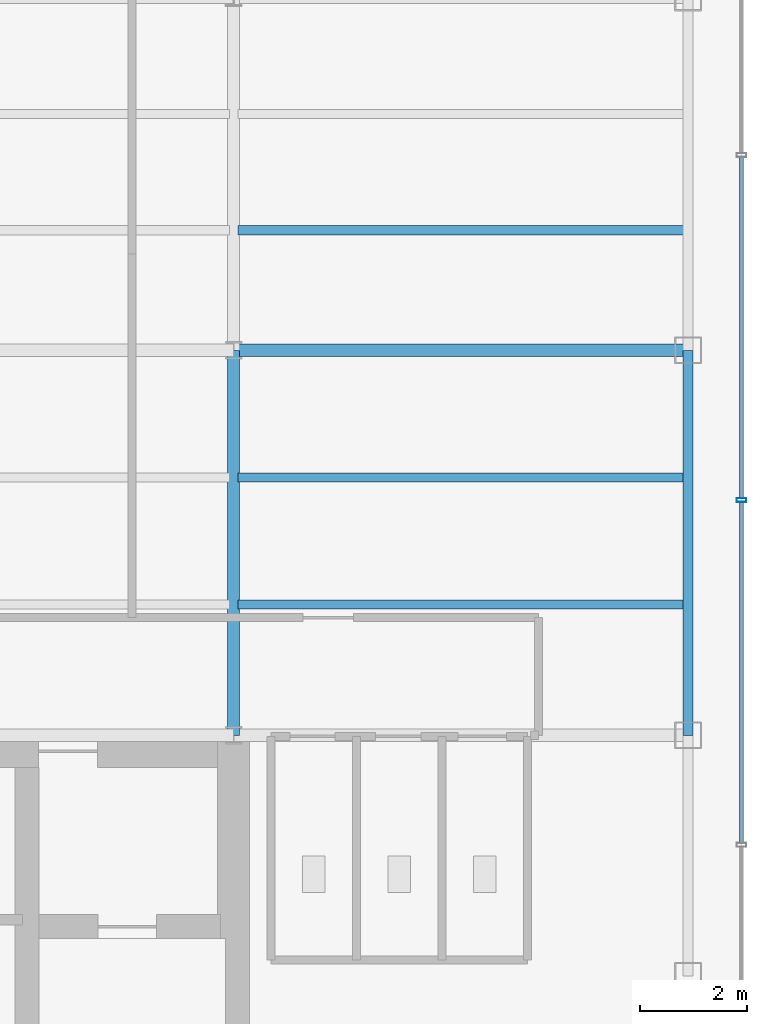
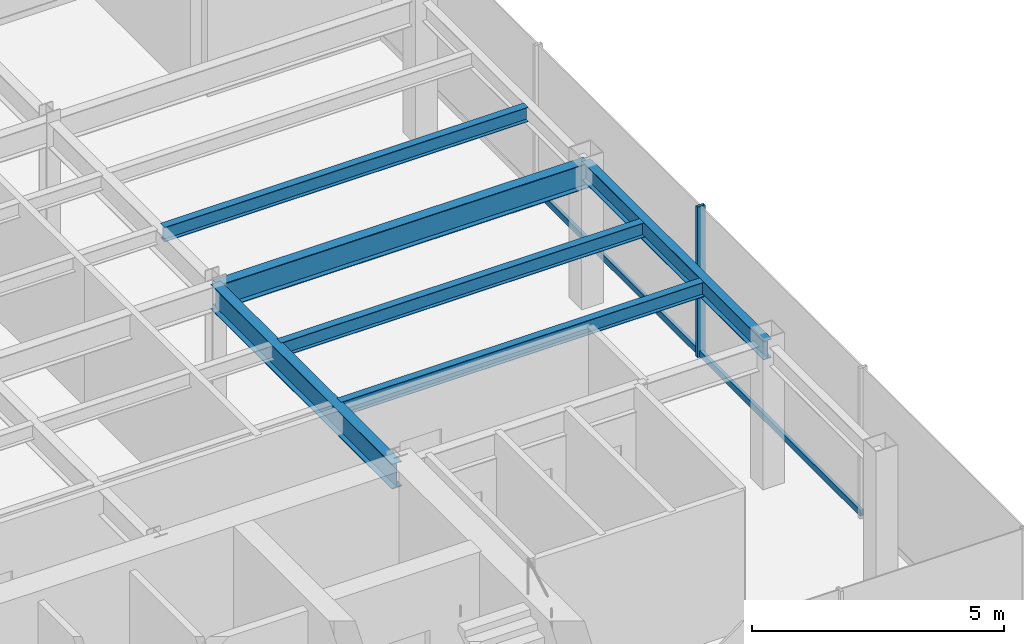
# One storey, part 10 of 22: 6 beams, 3 members, 1 element without a shape of its own.
"""IFC4 building model written with IfcOpenShell, lengths in metres."""

from ifc_helpers import new_model, si_unit, derived_unit, direction, frame, origin, origin_2d, place, context, subcontext, project, spatial, hollow_rectangle, i_section, extrude, source, transform, mapped, material, material_profile, profile_set, type_object, element, aggregate, save


model = new_model("IFC4")

# Units and contexts
model_context = context("Model", 3, precision=1e-05, world=origin(), true_north=direction((0.0, 1.0)))
body_context = subcontext(model_context, "Body", "Model", "MODEL_VIEW")
ifc_project = project(units=[si_unit("LENGTHUNIT", "METRE"), si_unit("AREAUNIT", "SQUARE_METRE"), si_unit("VOLUMEUNIT", "CUBIC_METRE"), si_unit("PLANEANGLEUNIT", "RADIAN"), si_unit("MASSUNIT", "GRAM", prefix="KILO"), derived_unit("THERMALTRANSMITTANCEUNIT", [(si_unit("POWERUNIT", "WATT"), 1), (si_unit("LENGTHUNIT", "METRE"), -2), (si_unit("THERMODYNAMICTEMPERATUREUNIT", "KELVIN"), -1)])], contexts=[model_context])

# Site, building, storey
site_placement = place(None, origin())
site = spatial("IfcSite", under=ifc_project, at=site_placement, CompositionType="ELEMENT")
building_placement = place(site_placement, origin())
building = spatial("IfcBuilding", under=site, at=building_placement, Name="Skarnbrae Concourse Arena and Tower", CompositionType="ELEMENT")
storey_placement = place(building_placement, frame((0.0, 0.0, 228.75)))
storey = spatial("IfcBuildingStorey", under=building, at=storey_placement, Name="L59", CompositionType="ELEMENT", Elevation=228.75)

# Beams
ifc_material_1 = material(Name="Steel CSA G40.21 350W", Category="steel")
ifc_material_profile_1 = material_profile(ifc_material_1, i_section(OverallWidth=0.22802734375, OverallDepth=0.60791015625, WebThickness=0.01123046875, FlangeThickness=0.017333984375, at=origin_2d()), Name="W610X113")
ifc_profile_set_1 = profile_set([ifc_material_profile_1], Name="Steel CSA G40.21 350W")
beam_type_1 = type_object("IfcBeamType", Name="BM-GIRD-W610X113", PredefinedType="BEAM", material=ifc_profile_set_1)
shared_shape_1 = source(origin(), body_context, "Body", "SweptSolid", [
    extrude(i_section(OverallWidth=0.22802734375, OverallDepth=0.60791015625, WebThickness=0.01123046875, FlangeThickness=0.017333984375, at=origin_2d()), origin(), (0.0, 0.0, 1.0), 8.5),
])
beam_1_placement = place(storey_placement, frame((33.5, 21.199951171875, 3.095947265625), z_axis=(1.0, 0.0, 0.0), x_axis=(0.0, 1.0, 0.0)))
element("IfcBeam", 1, at=beam_1_placement, inside=storey, type_object=beam_type_1, Name="L59 Primary E-W girder Y21.2-6", PredefinedType="BEAM", context=body_context, shape_type="MappedRepresentation", body=[
    mapped(shared_shape_1, transform((0.0, 0.0, 0.0))),
])
ifc_material_profile_2 = material_profile(ifc_material_1, i_section(OverallWidth=0.19091796875, OverallDepth=0.4599609375, WebThickness=0.010009765625, FlangeThickness=0.01611328125, at=origin_2d()), Name="W460X82")
ifc_profile_set_2 = profile_set([ifc_material_profile_2], Name="Steel CSA G40.21 350W")
beam_type_2 = type_object("IfcBeamType", Name="BM-SPAN-W460X82", PredefinedType="SPANDREL", material=ifc_profile_set_2)
shared_shape_2 = source(origin(), body_context, "Body", "SweptSolid", [
    extrude(i_section(OverallWidth=0.19091796875, OverallDepth=0.4599609375, WebThickness=0.010009765625, FlangeThickness=0.01611328125, at=origin_2d()), origin(), (0.0, 0.0, 1.0), 7.199951171875),
])
beam_2_placement = place(storey_placement, frame((42.0, 14.0, 3.169921875), z_axis=(0.0, 1.0, 0.0), x_axis=(-1.0, 0.0, 0.0)))
element("IfcBeam", 2, at=beam_2_placement, inside=storey, type_object=beam_type_2, Name="L59 Perimeter spandrel X42.0-2", PredefinedType="SPANDREL", context=body_context, shape_type="MappedRepresentation", body=[
    mapped(shared_shape_2, transform((0.0, 0.0, 0.0))),
])
shared_shape_3 = source(origin(), body_context, "Body", "SweptSolid", [
    extrude(i_section(OverallWidth=0.22802734375, OverallDepth=0.60791015625, WebThickness=0.01123046875, FlangeThickness=0.017333984375, at=origin_2d()), origin(), (0.0, 0.0, 1.0), 7.199951171875),
])
beam_3_placement = place(storey_placement, frame((33.5, 14.0, 3.095947265625), z_axis=(0.0, 1.0, 0.0), x_axis=(-1.0, 0.0, 0.0)))
element("IfcBeam", 3, at=beam_3_placement, inside=storey, type_object=beam_type_1, Name="L59 Primary N-S girder X33.5-1", PredefinedType="BEAM", context=body_context, shape_type="MappedRepresentation", body=[
    mapped(shared_shape_3, transform((0.0, 0.0, 0.0))),
])
ifc_material_profile_3 = material_profile(ifc_material_1, i_section(OverallWidth=0.1708984375, OverallDepth=0.35498046875, WebThickness=0.007080078125, FlangeThickness=0.01171875, at=origin_2d()), Name="W360X51")
ifc_profile_set_3 = profile_set([ifc_material_profile_3], Name="Steel CSA G40.21 350W")
beam_type_3 = type_object("IfcBeamType", Name="BM-JOIST-W360X51", PredefinedType="JOIST", material=ifc_profile_set_3)
shared_shape_4 = source(origin(), body_context, "Body", "SweptSolid", [
    extrude(i_section(OverallWidth=0.1708984375, OverallDepth=0.35498046875, WebThickness=0.007080078125, FlangeThickness=0.01171875, at=origin_2d()), origin(), (0.0, 0.0, 1.0), 8.33984375),
])
for number, where, z_axis, x_axis, name in (
    (4, (33.580078125, 16.447998046875, 3.222412109375), (1.0, 0.0, 0.0), (0.0, 1.0, 0.0), "L59 Secondary floor joist 1.1.6"),
    (5, (33.580078125, 18.823974609375, 3.222412109375), (1.0, 0.0, 0.0), (0.0, 1.0, 0.0), "L59 Secondary floor joist 1.2.6"),
    (6, (33.580078125, 23.444091796875, 3.222412109375), (1.0, 0.0, 0.0), (0.0, 1.0, 0.0), "L59 Secondary floor joist 2.1.6"),
):
    element("IfcBeam", number, at=place(storey_placement, frame(where, z_axis=z_axis, x_axis=x_axis)), inside=storey, type_object=beam_type_3, Name=name, PredefinedType="JOIST", context=body_context, shape_type="MappedRepresentation", body=[
        mapped(shared_shape_4, transform((0.0, 0.0, 0.0))),
    ])

# Curtain wall, members
ifc_material_2 = material(Name="Bronze anodised aluminium 6063-T6", Category="aluminium")
curtain_wall_type = type_object("IfcCurtainWallType", Name="CW-SYS-05-HIGHZONE", PredefinedType="USERDEFINED", material=ifc_material_2)
curtain_wall_placement = place(storey_placement, origin())
curtain_wall = element("IfcCurtainWall", 7, at=curtain_wall_placement, inside=storey, type_object=curtain_wall_type, Name="L59 Unitised curtain wall CW-L59-E04", ObjectType="UNITISED CURTAIN WALL", PredefinedType="USERDEFINED")
ifc_material_profile_4 = material_profile(ifc_material_2, hollow_rectangle(XDim=0.074951171875, YDim=0.179931640625, WallThickness=0.00390625, at=origin_2d()), Name="ALU-MULL-75X180")
ifc_profile_set_4 = profile_set([ifc_material_profile_4], Name="Bronze anodised aluminium 6063-T6")
member_type_1 = type_object("IfcMemberType", Name="CWM-CW-05", PredefinedType="MULLION", material=ifc_profile_set_4)
shared_shape_5 = source(origin(), body_context, "Body", "SweptSolid", [
    extrude(hollow_rectangle(XDim=0.074951171875, YDim=0.179931640625, WallThickness=0.00390625, at=origin_2d()), origin(), (0.0, 0.0, 1.0), 3.64990234375),
])
member_1_placement = place(storey_placement, frame((43.0, 18.39990234375, 0.0), z_axis=(0.0, 0.0, 1.0), x_axis=(0.0, 1.0, 0.0)))
member_1 = element("IfcMember", 8, at=member_1_placement, type_object=member_type_1, Name="CW-L59-E04 Mullion 3", PredefinedType="MULLION", context=body_context, shape_type="MappedRepresentation", body=[
    mapped(shared_shape_5, transform((0.0, 0.0, 0.0))),
])
ifc_material_profile_5 = material_profile(ifc_material_2, hollow_rectangle(XDim=0.074951171875, YDim=0.14990234375, WallThickness=0.00390625, at=origin_2d()), Name="ALU-TRAN-75X150")
ifc_profile_set_5 = profile_set([ifc_material_profile_5], Name="Bronze anodised aluminium 6063-T6")
member_type_2 = type_object("IfcMemberType", Name="CWT-CW-05", PredefinedType="USERDEFINED", material=ifc_profile_set_5)
shared_shape_6 = source(origin(), body_context, "Body", "SweptSolid", [
    extrude(hollow_rectangle(XDim=0.074951171875, YDim=0.14990234375, WallThickness=0.00390625, at=origin_2d()), origin(), (0.0, 0.0, 1.0), 6.375),
])
member_2_placement = place(storey_placement, frame((43.0, 11.987548828125, 0.074951171875), z_axis=(0.0, 1.0, 0.0), x_axis=(-1.0, 0.0, 0.0)))
member_2 = element("IfcMember", 9, at=member_2_placement, type_object=member_type_2, Name="CW-L59-E04 Transom 2", ObjectType="TRANSOM", PredefinedType="USERDEFINED", context=body_context, shape_type="MappedRepresentation", body=[
    mapped(shared_shape_6, transform((0.0, 0.0, 0.0))),
])
member_3_placement = place(storey_placement, frame((43.0, 18.4375, 0.074951171875), z_axis=(0.0, 1.0, 0.0), x_axis=(-1.0, 0.0, 0.0)))
member_3 = element("IfcMember", 10, at=member_3_placement, type_object=member_type_2, Name="CW-L59-E04 Transom 3", ObjectType="TRANSOM", PredefinedType="USERDEFINED", context=body_context, shape_type="MappedRepresentation", body=[
    mapped(shared_shape_6, transform((0.0, 0.0, 0.0))),
])
aggregate(curtain_wall, [member_1, member_2, member_3])

save(model, "model.ifc")
